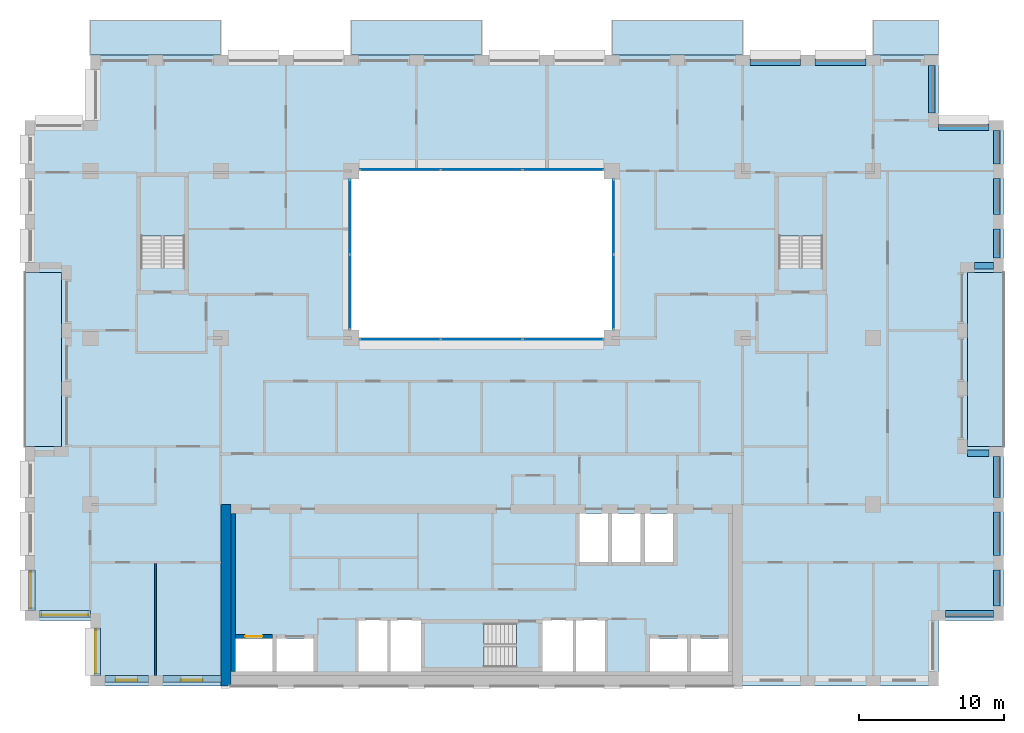
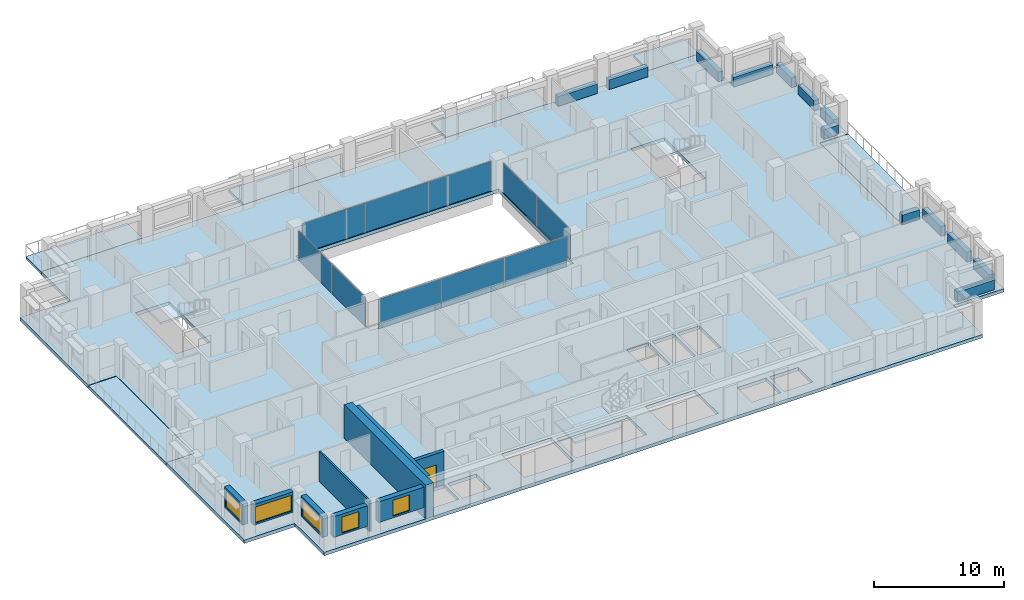
# One storey, part 7 of 15: 13 beams, 10 plates, 10 slabs, 9 walls, 5 windows, 1 door, 6 openings, 7 elements without a shape of their own.
"""IFC4 building model written with IfcOpenShell, lengths in metres."""

from ifc_helpers import new_model, si_unit, direction, frame, frame_2d, origin, origin_2d, place, context, subcontext, project, spatial, polyline, rectangle, outline, extrude, material, layer, layer_set, material_profile, profile_set, type_object, element, fill, aggregate, save


model = new_model("IFC4")

# Units and contexts
model_context = context("Model", 3, precision=1e-05, world=origin(), true_north=direction((0.0, 1.0)))
body_context = subcontext(model_context, "Body", "Model", "MODEL_VIEW")
ifc_project = project(units=[si_unit("LENGTHUNIT", "METRE"), si_unit("AREAUNIT", "SQUARE_METRE"), si_unit("VOLUMEUNIT", "CUBIC_METRE"), si_unit("PLANEANGLEUNIT", "RADIAN"), si_unit("MASSUNIT", "GRAM", prefix="KILO")], contexts=[model_context])

# Site, building, storey
site_placement = place(None, origin())
site = spatial("IfcSite", under=ifc_project, at=site_placement, CompositionType="ELEMENT")
building_placement = place(site_placement, origin())
building = spatial("IfcBuilding", under=site, at=building_placement, Name="Brigalow Station Residences", CompositionType="ELEMENT")
storey_placement = place(building_placement, frame((0.0, 0.0, 157.050048828125)))
storey = spatial("IfcBuildingStorey", under=building, at=storey_placement, Name="L45", CompositionType="ELEMENT", Elevation=157.050048828125)

# Beams
ifc_material_1 = material(Name="Concrete C50", Category="concrete")
ifc_material_profile = material_profile(ifc_material_1, rectangle(XDim=0.449951171875, YDim=0.89990234375, at=origin_2d()), Name="RC450x900")
ifc_profile_set = profile_set([ifc_material_profile], Name="Concrete C50")
beam_type = type_object("IfcBeamType", Name="SPANDREL BEAM 450x900 C50", PredefinedType="SPANDREL", material=ifc_profile_set)
beam_1_placement = place(storey_placement, frame((68.0, 4.97509765625, 0.449951171875), z_axis=(1.0, 0.0, 0.0), x_axis=(0.0, 1.0, 0.0)))
element("IfcBeam", 1, at=beam_1_placement, inside=storey, type_object=beam_type, Name="L45/spandrel/W-L45-8", PredefinedType="SPANDREL", context=body_context, shape_type="SweptSolid", body=[
    extrude(rectangle(XDim=0.449951171875, YDim=0.89990234375, at=origin_2d()), origin(), (0.0, 0.0, 1.0), 3.300048828125),
])
beam_2_placement = place(storey_placement, frame((71.52490234375, 5.5, 0.449951171875), z_axis=(0.0, 1.0, 0.0), x_axis=(-1.0, 0.0, 0.0)))
element("IfcBeam", 2, at=beam_2_placement, inside=storey, type_object=beam_type, Name="L45/spandrel/W-L45-9", PredefinedType="SPANDREL", context=body_context, shape_type="SweptSolid", body=[
    extrude(rectangle(XDim=0.449951171875, YDim=0.89990234375, at=origin_2d()), origin(), (0.0, 0.0, 1.0), 2.5),
])
beam_3_placement = place(storey_placement, frame((71.52490234375, 9.0, 0.449951171875), z_axis=(0.0, 1.0, 0.0), x_axis=(-1.0, 0.0, 0.0)))
element("IfcBeam", 3, at=beam_3_placement, inside=storey, type_object=beam_type, Name="L45/spandrel/W-L45-10", PredefinedType="SPANDREL", context=body_context, shape_type="SweptSolid", body=[
    extrude(rectangle(XDim=0.449951171875, YDim=0.89990234375, at=origin_2d()), origin(), (0.0, 0.0, 1.0), 3.0),
])
beam_4_placement = place(storey_placement, frame((71.52490234375, 13.0, 0.449951171875), z_axis=(0.0, 1.0, 0.0), x_axis=(-1.0, 0.0, 0.0)))
element("IfcBeam", 4, at=beam_4_placement, inside=storey, type_object=beam_type, Name="L45/spandrel/W-L45-11", PredefinedType="SPANDREL", context=body_context, shape_type="SweptSolid", body=[
    extrude(rectangle(XDim=0.449951171875, YDim=0.89990234375, at=origin_2d()), origin(), (0.0, 0.0, 1.0), 2.800048828125),
])
beam_5_placement = place(storey_placement, frame((71.0, 16.02490234375, 0.449951171875), z_axis=(-1.0, 0.0, 0.0), x_axis=(0.0, -1.0, 0.0)))
element("IfcBeam", 5, at=beam_5_placement, inside=storey, type_object=beam_type, Name="L45/spandrel/W-L45-12", PredefinedType="SPANDREL", context=body_context, shape_type="SweptSolid", body=[
    extrude(rectangle(XDim=0.449951171875, YDim=0.89990234375, at=origin_2d()), origin(), (0.0, 0.0, 1.0), 1.5),
])
beam_6_placement = place(storey_placement, frame((70.0, 28.97509765625, 0.449951171875), z_axis=(1.0, 0.0, 0.0), x_axis=(0.0, 1.0, 0.0)))
element("IfcBeam", 6, at=beam_6_placement, inside=storey, type_object=beam_type, Name="L45/spandrel/W-L45-16", PredefinedType="SPANDREL", context=body_context, shape_type="SweptSolid", body=[
    extrude(rectangle(XDim=0.449951171875, YDim=0.89990234375, at=origin_2d()), origin(), (0.0, 0.0, 1.0), 1.300048828125),
])
beam_7_placement = place(storey_placement, frame((71.52490234375, 29.5, 0.449951171875), z_axis=(0.0, 1.0, 0.0), x_axis=(-1.0, 0.0, 0.0)))
element("IfcBeam", 7, at=beam_7_placement, inside=storey, type_object=beam_type, Name="L45/spandrel/W-L45-17", PredefinedType="SPANDREL", context=body_context, shape_type="SweptSolid", body=[
    extrude(rectangle(XDim=0.449951171875, YDim=0.89990234375, at=origin_2d()), origin(), (0.0, 0.0, 1.0), 2.0),
])
beam_8_placement = place(storey_placement, frame((71.52490234375, 32.5, 0.449951171875), z_axis=(0.0, 1.0, 0.0), x_axis=(-1.0, 0.0, 0.0)))
element("IfcBeam", 8, at=beam_8_placement, inside=storey, type_object=beam_type, Name="L45/spandrel/W-L45-18", PredefinedType="SPANDREL", context=body_context, shape_type="SweptSolid", body=[
    extrude(rectangle(XDim=0.449951171875, YDim=0.89990234375, at=origin_2d()), origin(), (0.0, 0.0, 1.0), 2.5),
])
beam_9_placement = place(storey_placement, frame((71.52490234375, 36.0, 0.449951171875), z_axis=(0.0, 1.0, 0.0), x_axis=(-1.0, 0.0, 0.0)))
element("IfcBeam", 9, at=beam_9_placement, inside=storey, type_object=beam_type, Name="L45/spandrel/W-L45-19", PredefinedType="SPANDREL", context=body_context, shape_type="SweptSolid", body=[
    extrude(rectangle(XDim=0.449951171875, YDim=0.89990234375, at=origin_2d()), origin(), (0.0, 0.0, 1.0), 2.300048828125),
])
beam_10_placement = place(storey_placement, frame((71.0, 38.52490234375, 0.449951171875), z_axis=(-1.0, 0.0, 0.0), x_axis=(0.0, -1.0, 0.0)))
element("IfcBeam", 10, at=beam_10_placement, inside=storey, type_object=beam_type, Name="L45/spandrel/W-L45-20", PredefinedType="SPANDREL", context=body_context, shape_type="SweptSolid", body=[
    extrude(rectangle(XDim=0.449951171875, YDim=0.89990234375, at=origin_2d()), origin(), (0.0, 0.0, 1.0), 3.5),
])
beam_11_placement = place(storey_placement, frame((67.02490234375, 39.5, 0.449951171875), z_axis=(0.0, 1.0, 0.0), x_axis=(-1.0, 0.0, 0.0)))
element("IfcBeam", 11, at=beam_11_placement, inside=storey, type_object=beam_type, Name="L45/spandrel/W-L45-21", PredefinedType="SPANDREL", context=body_context, shape_type="SweptSolid", body=[
    extrude(rectangle(XDim=0.449951171875, YDim=0.89990234375, at=origin_2d()), origin(), (0.0, 0.0, 1.0), 3.300048828125),
])
for number, where, z_axis, x_axis, name in (
    (12, (62.5, 43.02490234375, 0.449951171875), (-1.0, 0.0, 0.0), (0.0, -1.0, 0.0), "L45/spandrel/W-L45-23"),
    (13, (58.0, 43.02490234375, 0.449951171875), (-1.0, 0.0, 0.0), (0.0, -1.0, 0.0), "L45/spandrel/W-L45-24"),
):
    element("IfcBeam", number, at=place(storey_placement, frame(where, z_axis=z_axis, x_axis=x_axis)), inside=storey, type_object=beam_type, Name=name, PredefinedType="SPANDREL", context=body_context, shape_type="SweptSolid", body=[
        extrude(rectangle(XDim=0.449951171875, YDim=0.89990234375, at=origin_2d()), origin(), (0.0, 0.0, 1.0), 3.5),
    ])

# Curtain wall, plates
ifc_material_2 = material(Name="Aluminium", Category="aluminium")
ifc_layer_1 = layer(ifc_material_2, 0.14990234375)
ifc_layer_set_1 = layer_set([ifc_layer_1], Name="ATRIUM FIRE-RATED GLAZING CURTAIN WALL")
curtain_wall_type = type_object("IfcCurtainWallType", Name="ATRIUM FIRE-RATED GLAZING CURTAIN WALL", PredefinedType="NOTDEFINED", material=ifc_layer_set_1)
curtain_wall_1_placement = place(storey_placement, origin())
curtain_wall_1 = element("IfcCurtainWall", 14, at=curtain_wall_1_placement, inside=storey, type_object=curtain_wall_type, Name="L45/cw/atrium-S", PredefinedType="NOTDEFINED")
ifc_material_3 = material(Name="Fire-resisting laminated glazing, FRL -/60/-", Category="glass")
ifc_layer_2 = layer(ifc_material_3, 0.031982421875)
ifc_layer_set_2 = layer_set([ifc_layer_2], Name="ATRIUM FIRE-RATED GLAZING PANEL 32")
plate_type = type_object("IfcPlateType", Name="ATRIUM FIRE-RATED GLAZING PANEL 32", PredefinedType="CURTAIN_PANEL", material=ifc_layer_set_2)
plate_1_placement = place(storey_placement, frame((30.381591796875, 23.89990234375, 0.0), z_axis=(0.0, 0.0, 1.0), x_axis=(1.0, 0.0, 0.0)))
plate_1 = element("IfcPlate", 15, at=plate_1_placement, type_object=plate_type, Name="L45/cw/atrium-S/P00-00", PredefinedType="CURTAIN_PANEL", context=body_context, shape_type="SweptSolid", body=[
    extrude(rectangle(XDim=5.543212890625, YDim=0.031982421875, at=origin_2d()), origin(), (0.0, 0.0, 1.0), 2.77001953125),
])
plate_2_placement = place(storey_placement, frame((36.0, 23.89990234375, 0.0), z_axis=(0.0, 0.0, 1.0), x_axis=(1.0, 0.0, 0.0)))
plate_2 = element("IfcPlate", 16, at=plate_2_placement, type_object=plate_type, Name="L45/cw/atrium-S/P01-00", PredefinedType="CURTAIN_PANEL", context=body_context, shape_type="SweptSolid", body=[
    extrude(rectangle(XDim=5.5732421875, YDim=0.031982421875, at=origin_2d()), origin(), (0.0, 0.0, 1.0), 2.77001953125),
])
plate_3_placement = place(storey_placement, frame((41.618408203125, 23.89990234375, 0.0), z_axis=(0.0, 0.0, 1.0), x_axis=(1.0, 0.0, 0.0)))
plate_3 = element("IfcPlate", 17, at=plate_3_placement, type_object=plate_type, Name="L45/cw/atrium-S/P02-00", PredefinedType="CURTAIN_PANEL", context=body_context, shape_type="SweptSolid", body=[
    extrude(rectangle(XDim=5.543212890625, YDim=0.031982421875, at=origin_2d()), origin(), (0.0, 0.0, 1.0), 2.77001953125),
])
aggregate(curtain_wall_1, [plate_1, plate_2, plate_3])

curtain_wall_2_placement = place(storey_placement, origin())
curtain_wall_2 = element("IfcCurtainWall", 18, at=curtain_wall_2_placement, inside=storey, type_object=curtain_wall_type, Name="L45/cw/atrium-E", PredefinedType="NOTDEFINED")
plate_4_placement = place(storey_placement, frame((45.10009765625, 27.1650390625, 0.0), z_axis=(0.0, 0.0, 1.0), x_axis=(0.0, 1.0, 0.0)))
plate_4 = element("IfcPlate", 19, at=plate_4_placement, type_object=plate_type, Name="L45/cw/atrium-E/P00-00", PredefinedType="CURTAIN_PANEL", context=body_context, shape_type="SweptSolid", body=[
    extrude(rectangle(XDim=5.110107421875, YDim=0.031982421875, at=origin_2d()), origin(), (0.0, 0.0, 1.0), 2.77001953125),
])
plate_5_placement = place(storey_placement, frame((45.10009765625, 32.3349609375, 0.0), z_axis=(0.0, 0.0, 1.0), x_axis=(0.0, 1.0, 0.0)))
plate_5 = element("IfcPlate", 20, at=plate_5_placement, type_object=plate_type, Name="L45/cw/atrium-E/P01-00", PredefinedType="CURTAIN_PANEL", context=body_context, shape_type="SweptSolid", body=[
    extrude(rectangle(XDim=5.110107421875, YDim=0.031982421875, at=origin_2d()), origin(), (0.0, 0.0, 1.0), 2.77001953125),
])
aggregate(curtain_wall_2, [plate_4, plate_5])

curtain_wall_3_placement = place(storey_placement, origin())
curtain_wall_3 = element("IfcCurtainWall", 21, at=curtain_wall_3_placement, inside=storey, type_object=curtain_wall_type, Name="L45/cw/atrium-N", PredefinedType="NOTDEFINED")
plate_6_placement = place(storey_placement, frame((41.618408203125, 35.60009765625, 0.0), z_axis=(0.0, 0.0, 1.0), x_axis=(-1.0, 0.0, 0.0)))
plate_6 = element("IfcPlate", 22, at=plate_6_placement, type_object=plate_type, Name="L45/cw/atrium-N/P00-00", PredefinedType="CURTAIN_PANEL", context=body_context, shape_type="SweptSolid", body=[
    extrude(rectangle(XDim=5.543212890625, YDim=0.031982421875, at=origin_2d()), origin(), (0.0, 0.0, 1.0), 2.77001953125),
])
plate_7_placement = place(storey_placement, frame((36.0, 35.60009765625, 0.0), z_axis=(0.0, 0.0, 1.0), x_axis=(-1.0, 0.0, 0.0)))
plate_7 = element("IfcPlate", 23, at=plate_7_placement, type_object=plate_type, Name="L45/cw/atrium-N/P01-00", PredefinedType="CURTAIN_PANEL", context=body_context, shape_type="SweptSolid", body=[
    extrude(rectangle(XDim=5.5732421875, YDim=0.031982421875, at=origin_2d()), origin(), (0.0, 0.0, 1.0), 2.77001953125),
])
plate_8_placement = place(storey_placement, frame((30.381591796875, 35.60009765625, 0.0), z_axis=(0.0, 0.0, 1.0), x_axis=(-1.0, 0.0, 0.0)))
plate_8 = element("IfcPlate", 24, at=plate_8_placement, type_object=plate_type, Name="L45/cw/atrium-N/P02-00", PredefinedType="CURTAIN_PANEL", context=body_context, shape_type="SweptSolid", body=[
    extrude(rectangle(XDim=5.543212890625, YDim=0.031982421875, at=origin_2d()), origin(), (0.0, 0.0, 1.0), 2.77001953125),
])
aggregate(curtain_wall_3, [plate_6, plate_7, plate_8])

curtain_wall_4_placement = place(storey_placement, origin())
curtain_wall_4 = element("IfcCurtainWall", 25, at=curtain_wall_4_placement, inside=storey, type_object=curtain_wall_type, Name="L45/cw/atrium-W", PredefinedType="NOTDEFINED")
plate_9_placement = place(storey_placement, frame((26.89990234375, 32.3349609375, 0.0), z_axis=(0.0, 0.0, 1.0), x_axis=(0.0, -1.0, 0.0)))
plate_9 = element("IfcPlate", 26, at=plate_9_placement, type_object=plate_type, Name="L45/cw/atrium-W/P00-00", PredefinedType="CURTAIN_PANEL", context=body_context, shape_type="SweptSolid", body=[
    extrude(rectangle(XDim=5.110107421875, YDim=0.031982421875, at=origin_2d()), origin(), (0.0, 0.0, 1.0), 2.77001953125),
])
plate_10_placement = place(storey_placement, frame((26.89990234375, 27.1650390625, 0.0), z_axis=(0.0, 0.0, 1.0), x_axis=(0.0, -1.0, 0.0)))
plate_10 = element("IfcPlate", 27, at=plate_10_placement, type_object=plate_type, Name="L45/cw/atrium-W/P01-00", PredefinedType="CURTAIN_PANEL", context=body_context, shape_type="SweptSolid", body=[
    extrude(rectangle(XDim=5.110107421875, YDim=0.031982421875, at=origin_2d()), origin(), (0.0, 0.0, 1.0), 2.77001953125),
])
aggregate(curtain_wall_4, [plate_9, plate_10])

# Slabs
ifc_material_4 = material(Name="Concrete C50 precast", Category="concrete")
ifc_layer_3 = layer(ifc_material_4, 0.25)
ifc_layer_set_3 = layer_set([ifc_layer_3], Name="BALCONY SLAB 250")
slab_type_1 = type_object("IfcSlabType", Name="BALCONY SLAB 250", PredefinedType="USERDEFINED", material=ifc_layer_set_3)
slab_1_placement = place(storey_placement, frame((0.0, 0.0, -0.2900390625)))
element("IfcSlab", 28, at=slab_1_placement, inside=storey, type_object=slab_type_1, Name="L45/balcony/1", ObjectType="BALCONY", PredefinedType="USERDEFINED", context=body_context, shape_type="SweptSolid", body=[
    extrude(outline(polyline([(69.5, 16.5), (72.0, 16.5), (72.0, 28.5), (69.5, 28.5), (69.5, 16.5)])), origin(), (0.0, 0.0, 1.0), 0.25),
])
slab_2_placement = place(storey_placement, frame((0.0, 0.0, -0.2900390625)))
element("IfcSlab", 29, at=slab_2_placement, inside=storey, type_object=slab_type_1, Name="L45/balcony/2", ObjectType="BALCONY", PredefinedType="USERDEFINED", context=body_context, shape_type="SweptSolid", body=[
    extrude(outline(polyline([(67.5, 43.5), (67.5, 45.89990234375), (63.0, 45.89990234375), (63.0, 43.5), (67.5, 43.5)])), origin(), (0.0, 0.0, 1.0), 0.25),
])
slab_3_placement = place(storey_placement, frame((0.0, 0.0, -0.2900390625)))
element("IfcSlab", 30, at=slab_3_placement, inside=storey, type_object=slab_type_1, Name="L45/balcony/3", ObjectType="BALCONY", PredefinedType="USERDEFINED", context=body_context, shape_type="SweptSolid", body=[
    extrude(outline(polyline([(54.0, 43.5), (54.0, 45.89990234375), (45.0, 45.89990234375), (45.0, 43.5), (54.0, 43.5)])), origin(), (0.0, 0.0, 1.0), 0.25),
])
slab_4_placement = place(storey_placement, frame((0.0, 0.0, -0.2900390625)))
element("IfcSlab", 31, at=slab_4_placement, inside=storey, type_object=slab_type_1, Name="L45/balcony/4", ObjectType="BALCONY", PredefinedType="USERDEFINED", context=body_context, shape_type="SweptSolid", body=[
    extrude(outline(polyline([(36.0, 43.5), (36.0, 45.89990234375), (27.0, 45.89990234375), (27.0, 43.5), (36.0, 43.5)])), origin(), (0.0, 0.0, 1.0), 0.25),
])
slab_5_placement = place(storey_placement, frame((0.0, 0.0, -0.2900390625)))
element("IfcSlab", 32, at=slab_5_placement, inside=storey, type_object=slab_type_1, Name="L45/balcony/5", ObjectType="BALCONY", PredefinedType="USERDEFINED", context=body_context, shape_type="SweptSolid", body=[
    extrude(outline(polyline([(18.0, 43.5), (18.0, 45.89990234375), (9.0, 45.89990234375), (9.0, 43.5), (18.0, 43.5)])), origin(), (0.0, 0.0, 1.0), 0.25),
])
slab_6_placement = place(storey_placement, frame((0.0, 0.0, -0.2900390625)))
element("IfcSlab", 33, at=slab_6_placement, inside=storey, type_object=slab_type_1, Name="L45/balcony/6", ObjectType="BALCONY", PredefinedType="USERDEFINED", context=body_context, shape_type="SweptSolid", body=[
    extrude(outline(polyline([(7.0, 28.5), (4.5, 28.5), (4.5, 16.5), (7.0, 16.5), (7.0, 28.5)])), origin(), (0.0, 0.0, 1.0), 0.25),
])
ifc_material_5 = material(Name="Concrete C50", Category="concrete")
ifc_layer_4 = layer(ifc_material_5, 0.320068359375)
ifc_layer_set_4 = layer_set([ifc_layer_4], Name="POST-TENSIONED FLAT PLATE 320 C50")
slab_type_2 = type_object("IfcSlabType", Name="POST-TENSIONED FLAT PLATE 320 C50", PredefinedType="FLOOR", material=ifc_layer_set_4)
slab_7_placement = place(storey_placement, frame((0.0, 0.0, -0.320068359375)))
element("IfcSlab", 34, at=slab_7_placement, inside=storey, type_object=slab_type_2, Name="FLOOR SLAB L45", PredefinedType="FLOOR", context=body_context, shape_type="SweptSolid", body=[
    extrude(outline(polyline([(9.0, 0.0), (67.5, 0.0), (67.5, 4.5), (72.0, 4.5), (72.0, 16.5), (69.5, 16.5), (69.5, 28.5), (72.0, 28.5), (72.0, 39.0), (67.5, 39.0), (67.5, 43.5), (9.0, 43.5), (9.0, 39.0), (4.5, 39.0), (4.5, 28.5), (7.0, 28.5), (7.0, 16.5), (4.5, 16.5), (4.5, 4.5), (9.0, 4.5), (9.0, 0.0)]), holes=[polyline([(12.5048828125, 35.094970703125), (15.4951171875, 35.094970703125), (15.4951171875, 28.804931640625), (12.5048828125, 28.804931640625), (12.5048828125, 35.094970703125)]), polyline([(19.0, 1.0), (19.0, 3.25), (21.550048828125, 3.25), (21.550048828125, 1.0), (19.0, 1.0)]), polyline([(21.85009765625, 3.25), (24.39990234375, 3.25), (24.39990234375, 1.0), (21.85009765625, 1.0), (21.85009765625, 3.25)]), polyline([(27.0, 35.5), (45.0, 35.5), (45.0, 24.0), (27.0, 24.0), (27.0, 35.5)]), polyline([(29.60009765625, 4.60009765625), (31.800048828125, 4.60009765625), (31.800048828125, 1.0), (29.60009765625, 1.0), (27.39990234375, 1.0), (27.39990234375, 4.60009765625), (29.60009765625, 4.60009765625)]), polyline([(32.10498046875, 4.294921875), (38.39501953125, 4.294921875), (38.39501953125, 1.304931640625), (32.10498046875, 1.304931640625), (32.10498046875, 4.294921875)]), polyline([(40.199951171875, 4.60009765625), (42.39990234375, 4.60009765625), (44.60009765625, 4.60009765625), (44.60009765625, 1.0), (42.39990234375, 1.0), (40.199951171875, 1.0), (40.199951171875, 4.60009765625)]), polyline([(42.75, 11.89990234375), (44.699951171875, 11.89990234375), (44.699951171875, 8.550048828125), (42.75, 8.550048828125), (42.75, 11.89990234375)]), polyline([(45.0, 11.89990234375), (46.949951171875, 11.89990234375), (46.949951171875, 8.550048828125), (45.0, 8.550048828125), (45.0, 11.89990234375)]), polyline([(47.25, 11.89990234375), (49.199951171875, 11.89990234375), (49.199951171875, 8.550048828125), (47.25, 8.550048828125), (47.25, 11.89990234375)]), polyline([(47.60009765625, 3.25), (50.14990234375, 3.25), (50.14990234375, 1.0), (47.60009765625, 1.0), (47.60009765625, 3.25)]), polyline([(50.449951171875, 3.25), (53.0, 3.25), (53.0, 1.0), (50.449951171875, 1.0), (50.449951171875, 3.25)]), polyline([(56.5048828125, 35.094970703125), (59.4951171875, 35.094970703125), (59.4951171875, 28.804931640625), (56.5048828125, 28.804931640625), (56.5048828125, 35.094970703125)])]), origin(), (0.0, 0.0, 1.0), 0.320068359375),
])

# Stair, slab
ifc_material_6 = material(Name="Concrete C50", Category="concrete")
stair_type = type_object("IfcStairType", Name="EXIT STAIR 1400 2 FLIGHT", PredefinedType="HALF_TURN_STAIR", material=ifc_material_6)
stair_1_placement = place(storey_placement, origin())
stair_1 = element("IfcStair", 35, at=stair_1_placement, inside=storey, type_object=stair_type, Name="EXIT STAIR S2 L45", PredefinedType="HALF_TURN_STAIR")
ifc_material_7 = material(Name="Concrete C50", Category="concrete")
ifc_layer_5 = layer(ifc_material_7, 0.199951171875)
ifc_layer_set_5 = layer_set([ifc_layer_5], Name="STAIR LANDING 200")
slab_type_3 = type_object("IfcSlabType", Name="STAIR LANDING 200", PredefinedType="LANDING", material=ifc_layer_set_5)
slab_8_placement = place(storey_placement, frame((0.0, 0.0, 1.375)))
slab_8 = element("IfcSlab", 36, at=slab_8_placement, type_object=slab_type_3, Name="ST-2 landing 1", PredefinedType="LANDING", context=body_context, shape_type="SweptSolid", body=[
    extrude(outline(polyline([(32.0, 1.199951171875), (36.159912109375, 1.199951171875), (36.159912109375, 4.39990234375), (32.0, 4.39990234375), (32.0, 1.199951171875)])), origin(), (0.0, 0.0, 1.0), 0.199951171875),
])
aggregate(stair_1, [slab_8])

stair_2_placement = place(storey_placement, origin())
stair_2 = element("IfcStair", 37, at=stair_2_placement, inside=storey, type_object=stair_type, Name="EXIT STAIR S1 L45", PredefinedType="HALF_TURN_STAIR")
slab_9_placement = place(storey_placement, frame((0.0, 0.0, 1.375)))
slab_9 = element("IfcSlab", 38, at=slab_9_placement, type_object=slab_type_3, Name="ST-1 landing 1", PredefinedType="LANDING", context=body_context, shape_type="SweptSolid", body=[
    extrude(outline(polyline([(12.39990234375, 31.0400390625), (15.60009765625, 31.0400390625), (15.60009765625, 35.199951171875), (12.39990234375, 35.199951171875), (12.39990234375, 31.0400390625)])), origin(), (0.0, 0.0, 1.0), 0.199951171875),
])
aggregate(stair_2, [slab_9])

stair_3_placement = place(storey_placement, origin())
stair_3 = element("IfcStair", 39, at=stair_3_placement, inside=storey, type_object=stair_type, Name="EXIT STAIR S3 L45", PredefinedType="HALF_TURN_STAIR")
slab_10_placement = place(storey_placement, frame((0.0, 0.0, 1.375)))
slab_10 = element("IfcSlab", 40, at=slab_10_placement, type_object=slab_type_3, Name="ST-3 landing 1", PredefinedType="LANDING", context=body_context, shape_type="SweptSolid", body=[
    extrude(outline(polyline([(56.39990234375, 31.0400390625), (59.60009765625, 31.0400390625), (59.60009765625, 35.199951171875), (56.39990234375, 35.199951171875), (56.39990234375, 31.0400390625)])), origin(), (0.0, 0.0, 1.0), 0.199951171875),
])
aggregate(stair_3, [slab_10])

# Wall, opening, window
ifc_material_8 = material(Name="Clay brick masonry", Category="masonry")
ifc_layer_6 = layer(ifc_material_8, 0.449951171875)
ifc_layer_set_6 = layer_set([ifc_layer_6], Name="BRICK INFILL WALL 450")
wall_type_1 = type_object("IfcWallType", Name="BRICK INFILL WALL 450", PredefinedType="SOLIDWALL", material=ifc_layer_set_6)
wall_1_placement = place(storey_placement, frame((10.0, 0.47509765625, 0.89990234375), z_axis=(0.0, 0.0, 1.0), x_axis=(1.0, 0.0, 0.0)))
wall_1 = element("IfcWall", 41, at=wall_1_placement, inside=storey, type_object=wall_type_1, Name="L45/ewall/W-L45-1", PredefinedType="SOLIDWALL", context=body_context, shape_type="SweptSolid", body=[
    extrude(rectangle(XDim=3.0, YDim=0.449951171875, at=frame_2d((1.5, 0.0))), origin(), (0.0, 0.0, 1.0), 1.929931640625),
])
opening_1_placement = place(wall_1_placement, frame((0.75, 0.0, 0.14990234375)))
opening_1 = element("IfcOpeningElement", 42, at=opening_1_placement, cuts=wall_1, Name="Opening WT-1", PredefinedType="OPENING", context=body_context, shape_type="SweptSolid", body=[
    extrude(rectangle(XDim=1.5, YDim=1.5, at=frame_2d((0.75, 0.75))), frame((0.0, 0.23486328125, 0.0), z_axis=(0.0, -1.0, 0.0), x_axis=(1.0, 0.0, 0.0)), (0.0, 0.0, 1.0), 0.469970703125),
])
ifc_material_9 = material(Name="Anodised aluminium frame with double glazing", Category="aluminium")
window_type_1 = type_object("IfcWindowType", Name="WINDOW 1500x1500", PartitioningType="SINGLE_PANEL", PredefinedType="WINDOW", material=ifc_material_9)
window_1_placement = place(opening_1_placement, origin())
window_1 = element("IfcWindow", 43, at=window_1_placement, inside=storey, type_object=window_type_1, Name="L45/window/W-L45-1", OverallHeight=1.5, OverallWidth=1.5, PartitioningType="SINGLE_PANEL", PredefinedType="WINDOW", context=body_context, shape_type="SweptSolid", body=[
    extrude(rectangle(XDim=1.5, YDim=1.5, at=frame_2d((0.75, 0.75))), frame((0.0, -0.06494140625, 0.0), z_axis=(0.0, -1.0, 0.0), x_axis=(1.0, 0.0, 0.0)), (0.0, 0.0, 1.0), 0.06005859375),
])
fill(opening_1, window_1)

wall_2_placement = place(storey_placement, frame((14.0, 0.47509765625, 0.89990234375), z_axis=(0.0, 0.0, 1.0), x_axis=(1.0, 0.0, 0.0)))
wall_2 = element("IfcWall", 44, at=wall_2_placement, inside=storey, type_object=wall_type_1, Name="L45/ewall/W-L45-2", PredefinedType="SOLIDWALL", context=body_context, shape_type="SweptSolid", body=[
    extrude(rectangle(XDim=4.0, YDim=0.449951171875, at=frame_2d((2.0, 0.0))), origin(), (0.0, 0.0, 1.0), 1.929931640625),
])
opening_2_placement = place(wall_2_placement, frame((1.25, 0.0, 0.14990234375)))
opening_2 = element("IfcOpeningElement", 45, at=opening_2_placement, cuts=wall_2, Name="Opening WT-1", PredefinedType="OPENING", context=body_context, shape_type="SweptSolid", body=[
    extrude(rectangle(XDim=1.5, YDim=1.5, at=frame_2d((0.75, 0.75))), frame((0.0, 0.23486328125, 0.0), z_axis=(0.0, -1.0, 0.0), x_axis=(1.0, 0.0, 0.0)), (0.0, 0.0, 1.0), 0.469970703125),
])
window_2_placement = place(opening_2_placement, origin())
window_2 = element("IfcWindow", 46, at=window_2_placement, inside=storey, type_object=window_type_1, Name="L45/window/W-L45-2", OverallHeight=1.5, OverallWidth=1.5, PartitioningType="SINGLE_PANEL", PredefinedType="WINDOW", context=body_context, shape_type="SweptSolid", body=[
    extrude(rectangle(XDim=1.5, YDim=1.5, at=frame_2d((0.75, 0.75))), frame((0.0, -0.06494140625, 0.0), z_axis=(0.0, -1.0, 0.0), x_axis=(1.0, 0.0, 0.0)), (0.0, 0.0, 1.0), 0.06005859375),
])
fill(opening_2, window_2)

wall_3_placement = place(storey_placement, frame((4.97509765625, 8.0, 0.89990234375), z_axis=(0.0, 0.0, 1.0), x_axis=(0.0, -1.0, 0.0)))
wall_3 = element("IfcWall", 47, at=wall_3_placement, inside=storey, type_object=wall_type_1, Name="L45/ewall/W-L45-47", PredefinedType="SOLIDWALL", context=body_context, shape_type="SweptSolid", body=[
    extrude(rectangle(XDim=2.800048828125, YDim=0.449951171875, at=frame_2d((1.39990234375, 0.0))), origin(), (0.0, 0.0, 1.0), 1.929931640625),
])
opening_3_placement = place(wall_3_placement, frame((0.14990234375, 0.0, 0.14990234375)))
opening_3 = element("IfcOpeningElement", 48, at=opening_3_placement, cuts=wall_3, Name="Opening WT-5", PredefinedType="OPENING", context=body_context, shape_type="SweptSolid", body=[
    extrude(rectangle(XDim=2.5, YDim=1.5, at=frame_2d((1.25, 0.75))), frame((0.0, 0.23486328125, 0.0), z_axis=(0.0, -1.0, 0.0), x_axis=(1.0, 0.0, 0.0)), (0.0, 0.0, 1.0), 0.469970703125),
])
ifc_material_10 = material(Name="Anodised aluminium frame with double glazing", Category="aluminium")
window_type_2 = type_object("IfcWindowType", Name="WINDOW 2500x1500", PartitioningType="SINGLE_PANEL", PredefinedType="WINDOW", material=ifc_material_10)
window_3_placement = place(opening_3_placement, origin())
window_3 = element("IfcWindow", 49, at=window_3_placement, inside=storey, type_object=window_type_2, Name="L45/window/W-L45-47", OverallHeight=1.5, OverallWidth=2.5, PartitioningType="SINGLE_PANEL", PredefinedType="WINDOW", context=body_context, shape_type="SweptSolid", body=[
    extrude(rectangle(XDim=2.5, YDim=1.5, at=frame_2d((1.25, 0.75))), frame((0.0, -0.06494140625, 0.0), z_axis=(0.0, -1.0, 0.0), x_axis=(1.0, 0.0, 0.0)), (0.0, 0.0, 1.0), 0.06005859375),
])
fill(opening_3, window_3)

wall_4_placement = place(storey_placement, frame((5.5, 4.97509765625, 0.89990234375), z_axis=(0.0, 0.0, 1.0), x_axis=(1.0, 0.0, 0.0)))
wall_4 = element("IfcWall", 50, at=wall_4_placement, inside=storey, type_object=wall_type_1, Name="L45/ewall/W-L45-48", PredefinedType="SOLIDWALL", context=body_context, shape_type="SweptSolid", body=[
    extrude(rectangle(XDim=3.5, YDim=0.449951171875, at=frame_2d((1.75, 0.0))), origin(), (0.0, 0.0, 1.0), 1.929931640625),
])
opening_4_placement = place(wall_4_placement, frame((0.14990234375, 0.0, 0.14990234375)))
opening_4 = element("IfcOpeningElement", 51, at=opening_4_placement, cuts=wall_4, Name="Opening WT-9", PredefinedType="OPENING", context=body_context, shape_type="SweptSolid", body=[
    extrude(rectangle(XDim=3.199951171875, YDim=1.5, at=frame_2d((1.60009765625, 0.75))), frame((0.0, 0.23486328125, 0.0), z_axis=(0.0, -1.0, 0.0), x_axis=(1.0, 0.0, 0.0)), (0.0, 0.0, 1.0), 0.469970703125),
])
ifc_material_11 = material(Name="Anodised aluminium frame with double glazing", Category="aluminium")
window_type_3 = type_object("IfcWindowType", Name="WINDOW 3200x1500", PartitioningType="SINGLE_PANEL", PredefinedType="WINDOW", material=ifc_material_11)
window_4_placement = place(opening_4_placement, origin())
window_4 = element("IfcWindow", 52, at=window_4_placement, inside=storey, type_object=window_type_3, Name="L45/window/W-L45-48", OverallHeight=1.5, OverallWidth=3.199951171875, PartitioningType="SINGLE_PANEL", PredefinedType="WINDOW", context=body_context, shape_type="SweptSolid", body=[
    extrude(rectangle(XDim=3.199951171875, YDim=1.5, at=frame_2d((1.60009765625, 0.75))), frame((0.0, -0.06494140625, 0.0), z_axis=(0.0, -1.0, 0.0), x_axis=(1.0, 0.0, 0.0)), (0.0, 0.0, 1.0), 0.06005859375),
])
fill(opening_4, window_4)

wall_5_placement = place(storey_placement, frame((9.47509765625, 4.0, 0.89990234375), z_axis=(0.0, 0.0, 1.0), x_axis=(0.0, -1.0, 0.0)))
wall_5 = element("IfcWall", 53, at=wall_5_placement, inside=storey, type_object=wall_type_1, Name="L45/ewall/W-L45-49", PredefinedType="SOLIDWALL", context=body_context, shape_type="SweptSolid", body=[
    extrude(rectangle(XDim=3.300048828125, YDim=0.449951171875, at=frame_2d((1.64990234375, 0.0))), origin(), (0.0, 0.0, 1.0), 1.929931640625),
])
opening_5_placement = place(wall_5_placement, frame((0.14990234375, 0.0, 0.14990234375)))
opening_5 = element("IfcOpeningElement", 54, at=opening_5_placement, cuts=wall_5, Name="Opening WT-2", PredefinedType="OPENING", context=body_context, shape_type="SweptSolid", body=[
    extrude(rectangle(XDim=3.0, YDim=1.5, at=frame_2d((1.5, 0.75))), frame((0.0, 0.23486328125, 0.0), z_axis=(0.0, -1.0, 0.0), x_axis=(1.0, 0.0, 0.0)), (0.0, 0.0, 1.0), 0.469970703125),
])
ifc_material_12 = material(Name="Anodised aluminium frame with double glazing", Category="aluminium")
window_type_4 = type_object("IfcWindowType", Name="WINDOW 3000x1500", PartitioningType="SINGLE_PANEL", PredefinedType="WINDOW", material=ifc_material_12)
window_5_placement = place(opening_5_placement, origin())
window_5 = element("IfcWindow", 55, at=window_5_placement, inside=storey, type_object=window_type_4, Name="L45/window/W-L45-49", OverallHeight=1.5, OverallWidth=3.0, PartitioningType="SINGLE_PANEL", PredefinedType="WINDOW", context=body_context, shape_type="SweptSolid", body=[
    extrude(rectangle(XDim=3.0, YDim=1.5, at=frame_2d((1.5, 0.75))), frame((0.0, -0.06494140625, 0.0), z_axis=(0.0, -1.0, 0.0), x_axis=(1.0, 0.0, 0.0)), (0.0, 0.0, 1.0), 0.06005859375),
])
fill(opening_5, window_5)

# Wall
ifc_material_13 = material(Name="Concrete C65", Category="concrete")
ifc_layer_7 = layer(ifc_material_13, 0.300048828125)
ifc_layer_set_7 = layer_set([ifc_layer_7], Name="CORE SHEAR WALL 300 C65")
wall_type_2 = type_object("IfcWallType", Name="CORE SHEAR WALL 300 C65", PredefinedType="SHEAR", material=ifc_layer_set_7)
wall_6_placement = place(storey_placement, frame((18.85009765625, 1.0, 0.0), z_axis=(0.0, 0.0, 1.0), x_axis=(0.0, 1.0, 0.0)))
element("IfcWall", 56, at=wall_6_placement, inside=storey, type_object=wall_type_2, Name="CORE WALL LIN-W L45", PredefinedType="SHEAR", context=body_context, shape_type="SweptSolid", body=[
    extrude(rectangle(XDim=10.89990234375, YDim=0.300048828125, at=frame_2d((5.449951171875, 0.0))), origin(), (0.0, 0.0, 1.0), 3.14990234375),
])

# Wall, opening, door
wall_7_placement = place(storey_placement, frame((19.0, 3.39990234375, 0.0), z_axis=(0.0, 0.0, 1.0), x_axis=(1.0, 0.0, 0.0)))
wall_7 = element("IfcWall", 57, at=wall_7_placement, inside=storey, type_object=wall_type_2, Name="CORE WALL SH-C1-N L45", PredefinedType="SHEAR", context=body_context, shape_type="SweptSolid", body=[
    extrude(rectangle(XDim=2.550048828125, YDim=0.300048828125, at=frame_2d((1.27490234375, 0.0))), origin(), (0.0, 0.0, 1.0), 3.14990234375),
])
opening_6_placement = place(wall_7_placement, frame((0.675048828125, 0.0, 0.0)))
opening_6 = element("IfcOpeningElement", 58, at=opening_6_placement, cuts=wall_7, Name="Opening LD-LB1", PredefinedType="OPENING", context=body_context, shape_type="SweptSolid", body=[
    extrude(rectangle(XDim=1.199951171875, YDim=2.10009765625, at=frame_2d((0.60009765625, 1.050048828125))), frame((0.0, 0.16015625, 0.0), z_axis=(0.0, -1.0, 0.0), x_axis=(1.0, 0.0, 0.0)), (0.0, 0.0, 1.0), 0.320068359375),
])
ifc_material_14 = material(Name="Stainless steel sliding door leaves", Category="steel")
door_type = type_object("IfcDoorType", Name="LIFT LANDING DOOR 1200 x 2100", OperationType="DOUBLE_DOOR_SLIDING", PredefinedType="DOOR", material=ifc_material_14)
door_placement = place(opening_6_placement, origin())
door = element("IfcDoor", 59, at=door_placement, inside=storey, type_object=door_type, Name="LANDING DOOR LB1", OperationType="DOUBLE_DOOR_SLIDING", OverallHeight=2.10009765625, OverallWidth=1.199951171875, PredefinedType="DOOR", context=body_context, shape_type="SweptSolid", body=[
    extrude(rectangle(XDim=1.199951171875, YDim=2.10009765625, at=frame_2d((0.60009765625, 1.050048828125))), frame((0.0, 0.02490234375, 0.0), z_axis=(0.0, -1.0, 0.0), x_axis=(1.0, 0.0, 0.0)), (0.0, 0.0, 1.0), 0.050048828125),
])
fill(opening_6, door)

# Walls
ifc_material_15 = material(Name="Concrete C65", Category="concrete")
ifc_layer_8 = layer(ifc_material_15, 0.699951171875)
ifc_layer_set_8 = layer_set([ifc_layer_8], Name="CORE SHEAR WALL 700 C65")
wall_type_3 = type_object("IfcWallType", Name="CORE SHEAR WALL 700 C65", PredefinedType="SHEAR", material=ifc_layer_set_8)
wall_8_placement = place(storey_placement, frame((18.35009765625, 0.0, 0.0), z_axis=(0.0, 0.0, 1.0), x_axis=(0.0, 1.0, 0.0)))
element("IfcWall", 60, at=wall_8_placement, inside=storey, type_object=wall_type_3, Name="CORE WALL OUT-W L45", PredefinedType="SHEAR", context=body_context, shape_type="SweptSolid", body=[
    extrude(rectangle(XDim=12.5, YDim=0.699951171875, at=frame_2d((6.25, 0.0))), origin(), (0.0, 0.0, 1.0), 3.14990234375),
])
ifc_material_16 = material(Name="Plasterboard on steel stud partition", Category="steel")
ifc_layer_9 = layer(ifc_material_16, 0.14990234375)
ifc_layer_set_9 = layer_set([ifc_layer_9], Name="FLAT PARTITION 150")
wall_type_4 = type_object("IfcWallType", Name="FLAT PARTITION 150", PredefinedType="PARTITIONING", material=ifc_layer_set_9)
wall_9_placement = place(storey_placement, frame((13.5, 0.699951171875, 0.0), z_axis=(0.0, 0.0, 1.0), x_axis=(0.0, 1.0, 0.0)))
element("IfcWall", 61, at=wall_9_placement, inside=storey, type_object=wall_type_4, Name="PW-3B36", PredefinedType="PARTITIONING", context=body_context, shape_type="SweptSolid", body=[
    extrude(rectangle(XDim=7.72509765625, YDim=0.14990234375, at=frame_2d((3.862548828125, 0.0))), origin(), (0.0, 0.0, 1.0), 2.829833984375),
])

save(model, "model.ifc")
